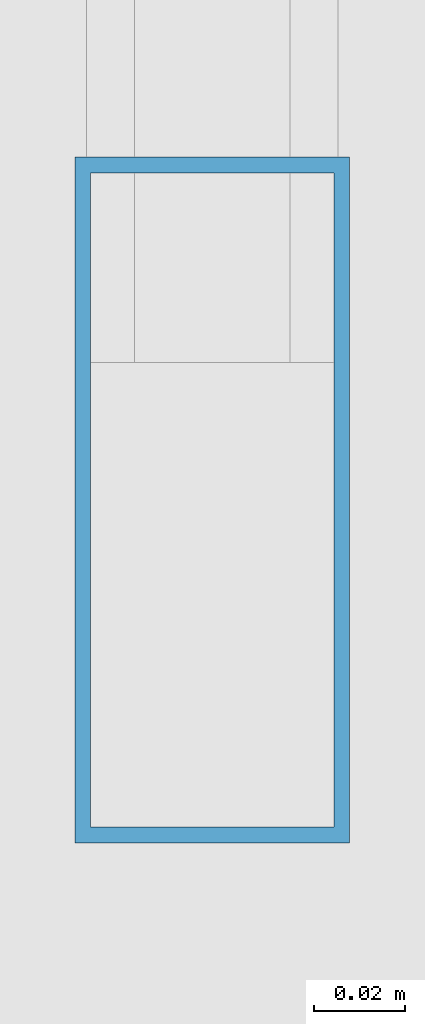
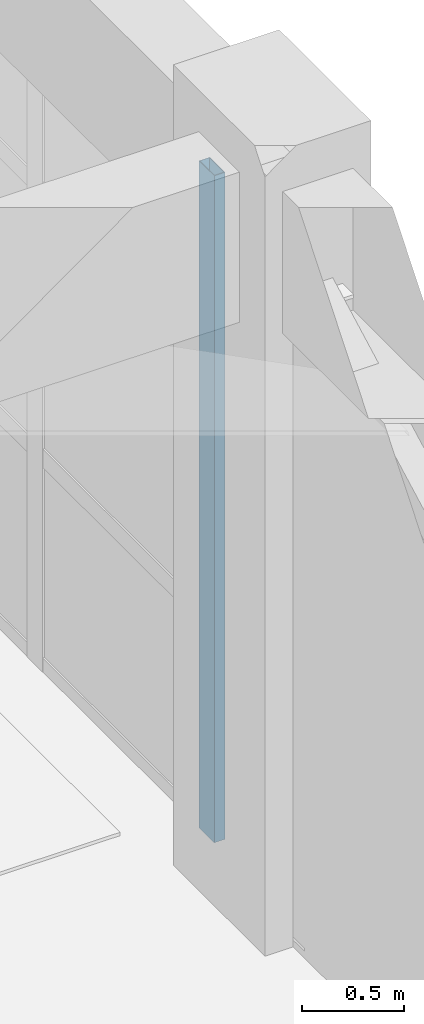
# One storey, part 32 of 63: 1 member, 1 element without a shape of its own.
"""IFC4 building model written with IfcOpenShell, lengths in metres."""

from ifc_helpers import new_model, si_unit, direction, frame, origin, origin_2d, place, context, subcontext, project, spatial, hollow_rectangle, extrude, material, layer, layer_set, material_profile, profile_set, type_object, element, aggregate, save


model = new_model("IFC4")

# Units and contexts
model_context = context("Model", 3, precision=1e-05, world=origin(), true_north=direction((0.0, 1.0)))
body_context = subcontext(model_context, "Body", "Model", "MODEL_VIEW")
ifc_project = project(units=[si_unit("LENGTHUNIT", "METRE"), si_unit("AREAUNIT", "SQUARE_METRE"), si_unit("VOLUMEUNIT", "CUBIC_METRE"), si_unit("PLANEANGLEUNIT", "RADIAN"), si_unit("MASSUNIT", "GRAM", prefix="KILO")], contexts=[model_context])

# Site, building, storey
site_placement = place(None, origin())
site = spatial("IfcSite", under=ifc_project, at=site_placement, CompositionType="ELEMENT")
building_placement = place(site_placement, origin())
building = spatial("IfcBuilding", under=site, at=building_placement, Name="Canggui Botanical Conservatory", CompositionType="ELEMENT")
storey_placement = place(building_placement, frame((0.0, 0.0, 10.199951171875)))
storey = spatial("IfcBuildingStorey", under=building, at=storey_placement, Name="L03", CompositionType="ELEMENT", Elevation=10.199951171875)

# Curtain wall, member
ifc_material = material(Name="Thermally Broken Aluminium", Category="aluminium")
ifc_layer = layer(ifc_material, 0.14990234375, Name="Thermally Broken Aluminium", Category="aluminium")
ifc_layer_set = layer_set([ifc_layer], Name="Thermally Broken Aluminium")
curtain_wall_type = type_object("IfcCurtainWallType", Name="CW-UNIT-C", PredefinedType="USERDEFINED", material=ifc_layer_set)
curtain_wall_placement = place(storey_placement, origin())
curtain_wall = element("IfcCurtainWall", 1, at=curtain_wall_placement, inside=storey, type_object=curtain_wall_type, Name="Facade Curtain Wall CW-TWR-L03-23", ObjectType="UNITISED CURTAIN WALL", PredefinedType="USERDEFINED")
ifc_material_profile = material_profile(ifc_material, hollow_rectangle(XDim=0.06005859375, YDim=0.14990234375, WallThickness=0.00341796875, at=origin_2d()), Name="CWM 60x150x3.5")
ifc_profile_set = profile_set([ifc_material_profile], Name="Thermally Broken Aluminium")
member_type = type_object("IfcMemberType", Name="CWM-03", PredefinedType="MULLION", material=ifc_profile_set)
member_placement = place(storey_placement, frame((177.39990234375, 50.590087890625, 0.0), z_axis=(0.0, 0.0, 1.0), x_axis=(1.0, 0.0, 0.0)))
member = element("IfcMember", 2, at=member_placement, type_object=member_type, Name="CW-03 mullion 5", PredefinedType="MULLION", context=body_context, shape_type="SweptSolid", body=[
    extrude(hollow_rectangle(XDim=0.06005859375, YDim=0.14990234375, WallThickness=0.00341796875, at=origin_2d()), origin(), (0.0, 0.0, 1.0), 4.0),
])
aggregate(curtain_wall, [member])

save(model, "model.ifc")
